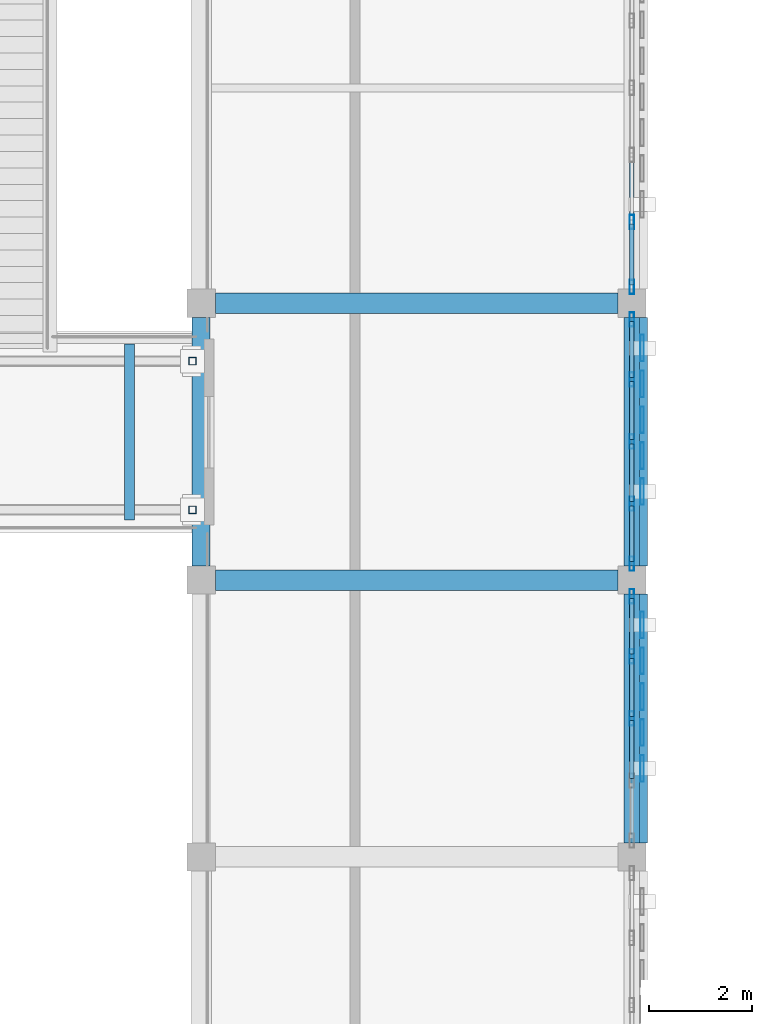
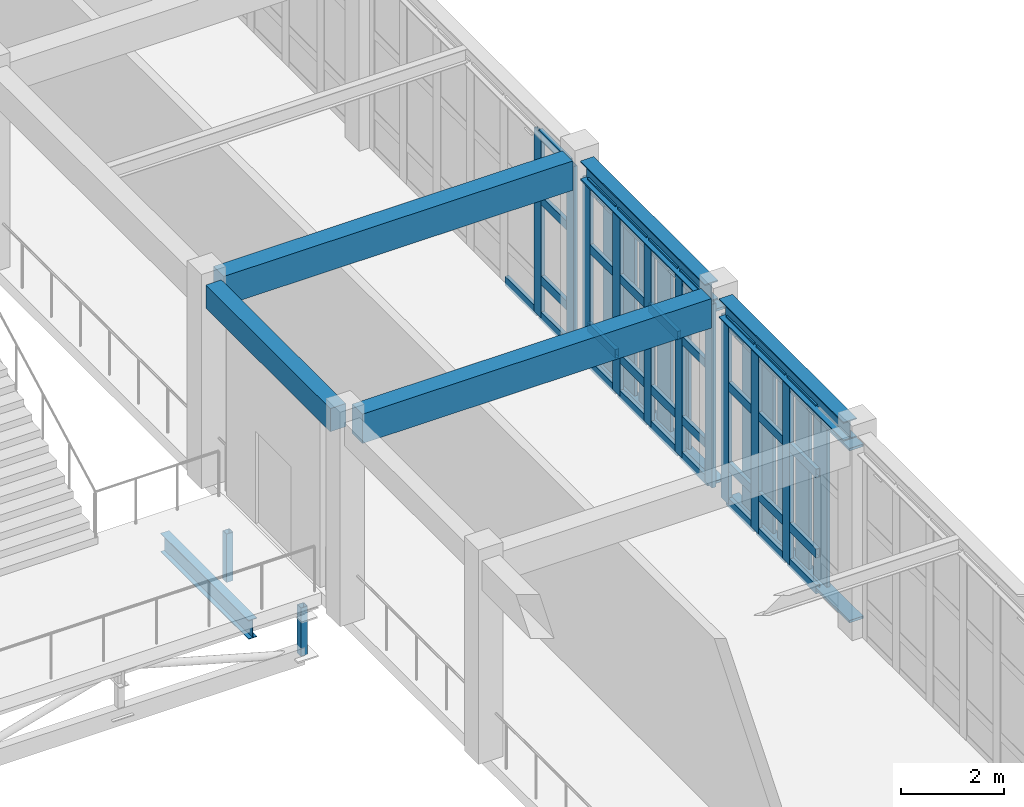
# One storey, part 35 of 93: 59 members, 6 beams, 3 elements without a shape of their own.
"""IFC4 building model written with IfcOpenShell, lengths in metres."""

from ifc_helpers import new_model, si_unit, direction, frame, origin, origin_2d, place, context, subcontext, project, spatial, rectangle, hollow_rectangle, i_section, extrude, material, layer, layer_set, material_profile, profile_set, type_object, element, aggregate, save


model = new_model("IFC4")

# Units and contexts
model_context = context("Model", 3, precision=1e-05, world=origin(), true_north=direction((0.0, 1.0)))
body_context = subcontext(model_context, "Body", "Model", "MODEL_VIEW")
ifc_project = project(units=[si_unit("LENGTHUNIT", "METRE"), si_unit("AREAUNIT", "SQUARE_METRE"), si_unit("VOLUMEUNIT", "CUBIC_METRE"), si_unit("PLANEANGLEUNIT", "RADIAN"), si_unit("MASSUNIT", "GRAM", prefix="KILO")], contexts=[model_context])

# Site, building, storey
site_placement = place(None, origin())
site = spatial("IfcSite", under=ifc_project, at=site_placement, CompositionType="ELEMENT")
building_placement = place(site_placement, origin())
building = spatial("IfcBuilding", under=site, at=building_placement, Name="Krzemoval Escarpment Law Courts", CompositionType="ELEMENT")
storey_placement = place(building_placement, frame((0.0, 0.0, 10.199951171875)))
storey = spatial("IfcBuildingStorey", under=building, at=storey_placement, Name="L02", CompositionType="ELEMENT", Elevation=10.199951171875)

# Beams
ifc_material_1 = material(Name="Concrete C40/50", Category="concrete")
ifc_material_profile_1 = material_profile(ifc_material_1, rectangle(XDim=0.35009765625, YDim=0.550048828125, at=origin_2d()), Name="RCB 350x550")
ifc_profile_set_1 = profile_set([ifc_material_profile_1], Name="Concrete C40/50")
beam_type_1 = type_object("IfcBeamType", Name="BM-RC-350x550", PredefinedType="BEAM", material=ifc_profile_set_1)
beam_1_placement = place(storey_placement, frame((33.60009765625, 80.074951171875, 4.545166015625), z_axis=(0.0, 1.0, 0.0), x_axis=(-1.0, 0.0, 0.0)))
element("IfcBeam", 1, at=beam_1_placement, inside=storey, type_object=beam_type_1, Name="Beam FG-L02-1900", PredefinedType="BEAM", context=body_context, shape_type="SweptSolid", body=[
    extrude(rectangle(XDim=0.35009765625, YDim=0.550048828125, at=origin_2d()), origin(), (0.0, 0.0, 1.0), 4.85009765625),
])
ifc_material_2 = material(Name="Concrete C40/50", Category="concrete")
ifc_material_profile_2 = material_profile(ifc_material_2, rectangle(XDim=0.39990234375, YDim=0.699951171875, at=origin_2d()), Name="RCB 400x700")
ifc_profile_set_2 = profile_set([ifc_material_profile_2], Name="Concrete C40/50")
beam_type_2 = type_object("IfcBeamType", Name="BM-RC-400x700", PredefinedType="BEAM", material=ifc_profile_set_2)
for number, where, z_axis, x_axis, name in (
    (2, (33.875, 79.800048828125, 4.469970703125), (1.0, 0.0, 0.0), (0.0, 1.0, 0.0), "Beam FG-L02-1801"),
    (3, (33.875, 85.199951171875, 4.469970703125), (1.0, 0.0, 0.0), (0.0, 1.0, 0.0), "Beam FG-L02-1805"),
):
    element("IfcBeam", number, at=place(storey_placement, frame(where, z_axis=z_axis, x_axis=x_axis)), inside=storey, type_object=beam_type_2, Name=name, PredefinedType="BEAM", context=body_context, shape_type="SweptSolid", body=[
        extrude(rectangle(XDim=0.39990234375, YDim=0.699951171875, at=origin_2d()), origin(), (0.0, 0.0, 1.0), 7.85009765625),
    ])
ifc_material_3 = material(Name="Steel S355", Category="steel")
ifc_material_profile_3 = material_profile(ifc_material_3, i_section(OverallWidth=0.18994140625, OverallDepth=0.449951171875, WebThickness=0.009521484375, FlangeThickness=0.0146484375, at=origin_2d()), Name="IPE 450")
ifc_profile_set_3 = profile_set([ifc_material_profile_3], Name="Steel S355")
beam_type_3 = type_object("IfcBeamType", Name="BM-S355-IPE450", PredefinedType="BEAM", material=ifc_profile_set_3)
beam_2_placement = place(storey_placement, frame((32.199951171875, 80.969970703125, -0.52490234375), z_axis=(0.0, 1.0, 0.0), x_axis=(-1.0, 0.0, 0.0)))
element("IfcBeam", 4, at=beam_2_placement, inside=storey, type_object=beam_type_3, Name="Bridge Cross Beam BBMN-L02-05", PredefinedType="BEAM", context=body_context, shape_type="SweptSolid", body=[
    extrude(i_section(OverallWidth=0.18994140625, OverallDepth=0.449951171875, WebThickness=0.009521484375, FlangeThickness=0.0146484375, at=origin_2d()), origin(), (0.0, 0.0, 1.0), 3.429931640625),
])

# Curtain wall, members
ifc_material_4 = material(Name="Aluminium 6063-T6", Category="aluminium")
ifc_layer = layer(ifc_material_4, 0.280029296875)
ifc_layer_set = layer_set([ifc_layer], Name="Aluminium 6063-T6")
curtain_wall_type = type_object("IfcCurtainWallType", Name="CW-HALL-5100", PredefinedType="USERDEFINED", material=ifc_layer_set)
curtain_wall_1_placement = place(storey_placement, origin())
curtain_wall_1 = element("IfcCurtainWall", 5, at=curtain_wall_1_placement, inside=storey, type_object=curtain_wall_type, Name="Unitised Curtain Wall FCW-L02-074", ObjectType="UNITISED_CURTAIN_WALL", PredefinedType="USERDEFINED")
ifc_material_5 = material(Name="Aluminium 6063-T6", Category="aluminium")
ifc_material_profile_4 = material_profile(ifc_material_5, hollow_rectangle(XDim=0.0849609375, YDim=0.280029296875, WallThickness=0.005615234375, at=origin_2d()), Name="ALU M85x280")
ifc_profile_set_4 = profile_set([ifc_material_profile_4], Name="Aluminium 6063-T6")
member_type_1 = type_object("IfcMemberType", Name="CWM-85x280", PredefinedType="MULLION", material=ifc_profile_set_4)
member_1_placement = place(storey_placement, frame((42.0, 86.783447265625, 0.0), z_axis=(0.0, 0.0, 1.0), x_axis=(1.0, 0.0, 0.0)))
member_1 = element("IfcMember", 6, at=member_1_placement, type_object=member_type_1, Name="FCW-L02-074 mullion 6", PredefinedType="MULLION", context=body_context, shape_type="SweptSolid", body=[
    extrude(hollow_rectangle(XDim=0.0849609375, YDim=0.280029296875, WallThickness=0.005615234375, at=origin_2d()), origin(), (0.0, 0.0, 1.0), 4.3701171875),
])
member_2_placement = place(storey_placement, frame((42.0, 85.517578125, 0.0), z_axis=(0.0, 0.0, 1.0), x_axis=(1.0, 0.0, 0.0)))
member_2 = element("IfcMember", 7, at=member_2_placement, type_object=member_type_1, Name="FCW-L02-074 mullion 7", PredefinedType="MULLION", context=body_context, shape_type="SweptSolid", body=[
    extrude(hollow_rectangle(XDim=0.0849609375, YDim=0.280029296875, WallThickness=0.005615234375, at=origin_2d()), origin(), (0.0, 0.0, 1.0), 4.3701171875),
])

curtain_wall_2_placement = place(storey_placement, origin())
curtain_wall_2 = element("IfcCurtainWall", 8, at=curtain_wall_2_placement, inside=storey, type_object=curtain_wall_type, Name="Unitised Curtain Wall FCW-L02-075", ObjectType="UNITISED_CURTAIN_WALL", PredefinedType="USERDEFINED")
member_3_placement = place(storey_placement, frame((42.0, 84.882568359375, 0.0), z_axis=(0.0, 0.0, 1.0), x_axis=(1.0, 0.0, 0.0)))
member_3 = element("IfcMember", 9, at=member_3_placement, type_object=member_type_1, Name="FCW-L02-075 mullion 1", PredefinedType="MULLION", context=body_context, shape_type="SweptSolid", body=[
    extrude(hollow_rectangle(XDim=0.0849609375, YDim=0.280029296875, WallThickness=0.005615234375, at=origin_2d()), origin(), (0.0, 0.0, 1.0), 4.3701171875),
])
member_4_placement = place(storey_placement, frame((42.0, 83.71240234375, 0.0), z_axis=(0.0, 0.0, 1.0), x_axis=(1.0, 0.0, 0.0)))
member_4 = element("IfcMember", 10, at=member_4_placement, type_object=member_type_1, Name="FCW-L02-075 mullion 2", PredefinedType="MULLION", context=body_context, shape_type="SweptSolid", body=[
    extrude(hollow_rectangle(XDim=0.0849609375, YDim=0.280029296875, WallThickness=0.005615234375, at=origin_2d()), origin(), (0.0, 0.0, 1.0), 4.3701171875),
])
member_5_placement = place(storey_placement, frame((42.0, 82.5, 0.0), z_axis=(0.0, 0.0, 1.0), x_axis=(1.0, 0.0, 0.0)))
member_5 = element("IfcMember", 11, at=member_5_placement, type_object=member_type_1, Name="FCW-L02-075 mullion 3", PredefinedType="MULLION", context=body_context, shape_type="SweptSolid", body=[
    extrude(hollow_rectangle(XDim=0.0849609375, YDim=0.280029296875, WallThickness=0.005615234375, at=origin_2d()), origin(), (0.0, 0.0, 1.0), 4.3701171875),
])
member_6_placement = place(storey_placement, frame((42.0, 81.28759765625, 0.0), z_axis=(0.0, 0.0, 1.0), x_axis=(1.0, 0.0, 0.0)))
member_6 = element("IfcMember", 12, at=member_6_placement, type_object=member_type_1, Name="FCW-L02-075 mullion 4", PredefinedType="MULLION", context=body_context, shape_type="SweptSolid", body=[
    extrude(hollow_rectangle(XDim=0.0849609375, YDim=0.280029296875, WallThickness=0.005615234375, at=origin_2d()), origin(), (0.0, 0.0, 1.0), 4.3701171875),
])
member_7_placement = place(storey_placement, frame((42.0, 80.117431640625, 0.0), z_axis=(0.0, 0.0, 1.0), x_axis=(1.0, 0.0, 0.0)))
member_7 = element("IfcMember", 13, at=member_7_placement, type_object=member_type_1, Name="FCW-L02-075 mullion 5", PredefinedType="MULLION", context=body_context, shape_type="SweptSolid", body=[
    extrude(hollow_rectangle(XDim=0.0849609375, YDim=0.280029296875, WallThickness=0.005615234375, at=origin_2d()), origin(), (0.0, 0.0, 1.0), 4.3701171875),
])

curtain_wall_3_placement = place(storey_placement, origin())
curtain_wall_3 = element("IfcCurtainWall", 14, at=curtain_wall_3_placement, inside=storey, type_object=curtain_wall_type, Name="Unitised Curtain Wall FCW-L02-076", ObjectType="UNITISED_CURTAIN_WALL", PredefinedType="USERDEFINED")
member_8_placement = place(storey_placement, frame((42.0, 79.482421875, 0.0), z_axis=(0.0, 0.0, 1.0), x_axis=(1.0, 0.0, 0.0)))
member_8 = element("IfcMember", 15, at=member_8_placement, type_object=member_type_1, Name="FCW-L02-076 mullion 1", PredefinedType="MULLION", context=body_context, shape_type="SweptSolid", body=[
    extrude(hollow_rectangle(XDim=0.0849609375, YDim=0.280029296875, WallThickness=0.005615234375, at=origin_2d()), origin(), (0.0, 0.0, 1.0), 4.3701171875),
])
member_9_placement = place(storey_placement, frame((42.0, 78.3125, 0.0), z_axis=(0.0, 0.0, 1.0), x_axis=(1.0, 0.0, 0.0)))
member_9 = element("IfcMember", 16, at=member_9_placement, type_object=member_type_1, Name="FCW-L02-076 mullion 2", PredefinedType="MULLION", context=body_context, shape_type="SweptSolid", body=[
    extrude(hollow_rectangle(XDim=0.0849609375, YDim=0.280029296875, WallThickness=0.005615234375, at=origin_2d()), origin(), (0.0, 0.0, 1.0), 4.3701171875),
])
member_10_placement = place(storey_placement, frame((42.0, 77.10009765625, 0.0), z_axis=(0.0, 0.0, 1.0), x_axis=(1.0, 0.0, 0.0)))
member_10 = element("IfcMember", 17, at=member_10_placement, type_object=member_type_1, Name="FCW-L02-076 mullion 3", PredefinedType="MULLION", context=body_context, shape_type="SweptSolid", body=[
    extrude(hollow_rectangle(XDim=0.0849609375, YDim=0.280029296875, WallThickness=0.005615234375, at=origin_2d()), origin(), (0.0, 0.0, 1.0), 4.3701171875),
])

# Member
ifc_material_6 = material(Name="Aluminium 6063-T6", Category="aluminium")
ifc_material_profile_5 = material_profile(ifc_material_6, hollow_rectangle(XDim=0.0849609375, YDim=0.2099609375, WallThickness=0.005615234375, at=origin_2d()), Name="ALU T85x210")
ifc_profile_set_5 = profile_set([ifc_material_profile_5], Name="Aluminium 6063-T6")
member_type_2 = type_object("IfcMemberType", Name="CWT-85x210", PredefinedType="USERDEFINED", material=ifc_profile_set_5)
member_11_placement = place(storey_placement, frame((42.0, 88.049072265625, 0.04248046875), z_axis=(0.0, -1.0, 0.0), x_axis=(1.0, 0.0, 0.0)))
member_11 = element("IfcMember", 18, at=member_11_placement, type_object=member_type_2, Name="FCW-L02-074 transom 5.1", ObjectType="TRANSOM", PredefinedType="USERDEFINED", context=body_context, shape_type="SweptSolid", body=[
    extrude(hollow_rectangle(XDim=0.0849609375, YDim=0.2099609375, WallThickness=0.005615234375, at=origin_2d()), origin(), (0.0, 0.0, 1.0), 1.22314453125),
])

member_12_placement = place(storey_placement, frame((42.0, 86.74072265625, 0.04248046875), z_axis=(0.0, -1.0, 0.0), x_axis=(1.0, 0.0, 0.0)))
member_12 = element("IfcMember", 19, at=member_12_placement, type_object=member_type_2, Name="FCW-L02-074 transom 6.1", ObjectType="TRANSOM", PredefinedType="USERDEFINED", context=body_context, shape_type="SweptSolid", body=[
    extrude(hollow_rectangle(XDim=0.0849609375, YDim=0.2099609375, WallThickness=0.005615234375, at=origin_2d()), origin(), (0.0, 0.0, 1.0), 1.1806640625),
])

member_13_placement = place(storey_placement, frame((42.0, 86.74072265625, 0.900146484375), z_axis=(0.0, -1.0, 0.0), x_axis=(1.0, 0.0, 0.0)))
member_13 = element("IfcMember", 20, at=member_13_placement, type_object=member_type_2, Name="FCW-L02-074 transom 6.2", ObjectType="TRANSOM", PredefinedType="USERDEFINED", context=body_context, shape_type="SweptSolid", body=[
    extrude(hollow_rectangle(XDim=0.0849609375, YDim=0.2099609375, WallThickness=0.005615234375, at=origin_2d()), origin(), (0.0, 0.0, 1.0), 1.1806640625),
])

member_14_placement = place(storey_placement, frame((42.0, 86.74072265625, 2.800048828125), z_axis=(0.0, -1.0, 0.0), x_axis=(1.0, 0.0, 0.0)))
member_14 = element("IfcMember", 21, at=member_14_placement, type_object=member_type_2, Name="FCW-L02-074 transom 6.3", ObjectType="TRANSOM", PredefinedType="USERDEFINED", context=body_context, shape_type="SweptSolid", body=[
    extrude(hollow_rectangle(XDim=0.0849609375, YDim=0.2099609375, WallThickness=0.005615234375, at=origin_2d()), origin(), (0.0, 0.0, 1.0), 1.1806640625),
])

member_15_placement = place(storey_placement, frame((42.0, 86.74072265625, 4.32763671875), z_axis=(0.0, -1.0, 0.0), x_axis=(1.0, 0.0, 0.0)))
member_15 = element("IfcMember", 22, at=member_15_placement, type_object=member_type_2, Name="FCW-L02-074 transom 6.4", ObjectType="TRANSOM", PredefinedType="USERDEFINED", context=body_context, shape_type="SweptSolid", body=[
    extrude(hollow_rectangle(XDim=0.0849609375, YDim=0.2099609375, WallThickness=0.005615234375, at=origin_2d()), origin(), (0.0, 0.0, 1.0), 1.1806640625),
])

aggregate(curtain_wall_1, [member_1, member_2, member_11, member_12, member_13, member_14, member_15])

member_16_placement = place(storey_placement, frame((42.0, 84.840087890625, 0.04248046875), z_axis=(0.0, -1.0, 0.0), x_axis=(1.0, 0.0, 0.0)))
member_16 = element("IfcMember", 23, at=member_16_placement, type_object=member_type_2, Name="FCW-L02-075 transom 1.1", ObjectType="TRANSOM", PredefinedType="USERDEFINED", context=body_context, shape_type="SweptSolid", body=[
    extrude(hollow_rectangle(XDim=0.0849609375, YDim=0.2099609375, WallThickness=0.005615234375, at=origin_2d()), origin(), (0.0, 0.0, 1.0), 1.085205078125),
])

member_17_placement = place(storey_placement, frame((42.0, 84.840087890625, 0.900146484375), z_axis=(0.0, -1.0, 0.0), x_axis=(1.0, 0.0, 0.0)))
member_17 = element("IfcMember", 24, at=member_17_placement, type_object=member_type_2, Name="FCW-L02-075 transom 1.2", ObjectType="TRANSOM", PredefinedType="USERDEFINED", context=body_context, shape_type="SweptSolid", body=[
    extrude(hollow_rectangle(XDim=0.0849609375, YDim=0.2099609375, WallThickness=0.005615234375, at=origin_2d()), origin(), (0.0, 0.0, 1.0), 1.085205078125),
])

member_18_placement = place(storey_placement, frame((42.0, 84.840087890625, 2.800048828125), z_axis=(0.0, -1.0, 0.0), x_axis=(1.0, 0.0, 0.0)))
member_18 = element("IfcMember", 25, at=member_18_placement, type_object=member_type_2, Name="FCW-L02-075 transom 1.3", ObjectType="TRANSOM", PredefinedType="USERDEFINED", context=body_context, shape_type="SweptSolid", body=[
    extrude(hollow_rectangle(XDim=0.0849609375, YDim=0.2099609375, WallThickness=0.005615234375, at=origin_2d()), origin(), (0.0, 0.0, 1.0), 1.085205078125),
])

member_19_placement = place(storey_placement, frame((42.0, 84.840087890625, 4.32763671875), z_axis=(0.0, -1.0, 0.0), x_axis=(1.0, 0.0, 0.0)))
member_19 = element("IfcMember", 26, at=member_19_placement, type_object=member_type_2, Name="FCW-L02-075 transom 1.4", ObjectType="TRANSOM", PredefinedType="USERDEFINED", context=body_context, shape_type="SweptSolid", body=[
    extrude(hollow_rectangle(XDim=0.0849609375, YDim=0.2099609375, WallThickness=0.005615234375, at=origin_2d()), origin(), (0.0, 0.0, 1.0), 1.085205078125),
])

member_20_placement = place(storey_placement, frame((42.0, 83.669921875, 0.04248046875), z_axis=(0.0, -1.0, 0.0), x_axis=(1.0, 0.0, 0.0)))
member_20 = element("IfcMember", 27, at=member_20_placement, type_object=member_type_2, Name="FCW-L02-075 transom 2.1", ObjectType="TRANSOM", PredefinedType="USERDEFINED", context=body_context, shape_type="SweptSolid", body=[
    extrude(hollow_rectangle(XDim=0.0849609375, YDim=0.2099609375, WallThickness=0.005615234375, at=origin_2d()), origin(), (0.0, 0.0, 1.0), 1.12744140625),
])

member_21_placement = place(storey_placement, frame((42.0, 83.669921875, 0.900146484375), z_axis=(0.0, -1.0, 0.0), x_axis=(1.0, 0.0, 0.0)))
member_21 = element("IfcMember", 28, at=member_21_placement, type_object=member_type_2, Name="FCW-L02-075 transom 2.2", ObjectType="TRANSOM", PredefinedType="USERDEFINED", context=body_context, shape_type="SweptSolid", body=[
    extrude(hollow_rectangle(XDim=0.0849609375, YDim=0.2099609375, WallThickness=0.005615234375, at=origin_2d()), origin(), (0.0, 0.0, 1.0), 1.12744140625),
])

member_22_placement = place(storey_placement, frame((42.0, 83.669921875, 2.800048828125), z_axis=(0.0, -1.0, 0.0), x_axis=(1.0, 0.0, 0.0)))
member_22 = element("IfcMember", 29, at=member_22_placement, type_object=member_type_2, Name="FCW-L02-075 transom 2.3", ObjectType="TRANSOM", PredefinedType="USERDEFINED", context=body_context, shape_type="SweptSolid", body=[
    extrude(hollow_rectangle(XDim=0.0849609375, YDim=0.2099609375, WallThickness=0.005615234375, at=origin_2d()), origin(), (0.0, 0.0, 1.0), 1.12744140625),
])

member_23_placement = place(storey_placement, frame((42.0, 83.669921875, 4.32763671875), z_axis=(0.0, -1.0, 0.0), x_axis=(1.0, 0.0, 0.0)))
member_23 = element("IfcMember", 30, at=member_23_placement, type_object=member_type_2, Name="FCW-L02-075 transom 2.4", ObjectType="TRANSOM", PredefinedType="USERDEFINED", context=body_context, shape_type="SweptSolid", body=[
    extrude(hollow_rectangle(XDim=0.0849609375, YDim=0.2099609375, WallThickness=0.005615234375, at=origin_2d()), origin(), (0.0, 0.0, 1.0), 1.12744140625),
])

member_24_placement = place(storey_placement, frame((42.0, 82.45751953125, 0.04248046875), z_axis=(0.0, -1.0, 0.0), x_axis=(1.0, 0.0, 0.0)))
member_24 = element("IfcMember", 31, at=member_24_placement, type_object=member_type_2, Name="FCW-L02-075 transom 3.1", ObjectType="TRANSOM", PredefinedType="USERDEFINED", context=body_context, shape_type="SweptSolid", body=[
    extrude(hollow_rectangle(XDim=0.0849609375, YDim=0.2099609375, WallThickness=0.005615234375, at=origin_2d()), origin(), (0.0, 0.0, 1.0), 1.12744140625),
])

member_25_placement = place(storey_placement, frame((42.0, 82.45751953125, 0.900146484375), z_axis=(0.0, -1.0, 0.0), x_axis=(1.0, 0.0, 0.0)))
member_25 = element("IfcMember", 32, at=member_25_placement, type_object=member_type_2, Name="FCW-L02-075 transom 3.2", ObjectType="TRANSOM", PredefinedType="USERDEFINED", context=body_context, shape_type="SweptSolid", body=[
    extrude(hollow_rectangle(XDim=0.0849609375, YDim=0.2099609375, WallThickness=0.005615234375, at=origin_2d()), origin(), (0.0, 0.0, 1.0), 1.12744140625),
])

member_26_placement = place(storey_placement, frame((42.0, 82.45751953125, 2.800048828125), z_axis=(0.0, -1.0, 0.0), x_axis=(1.0, 0.0, 0.0)))
member_26 = element("IfcMember", 33, at=member_26_placement, type_object=member_type_2, Name="FCW-L02-075 transom 3.3", ObjectType="TRANSOM", PredefinedType="USERDEFINED", context=body_context, shape_type="SweptSolid", body=[
    extrude(hollow_rectangle(XDim=0.0849609375, YDim=0.2099609375, WallThickness=0.005615234375, at=origin_2d()), origin(), (0.0, 0.0, 1.0), 1.12744140625),
])

member_27_placement = place(storey_placement, frame((42.0, 82.45751953125, 4.32763671875), z_axis=(0.0, -1.0, 0.0), x_axis=(1.0, 0.0, 0.0)))
member_27 = element("IfcMember", 34, at=member_27_placement, type_object=member_type_2, Name="FCW-L02-075 transom 3.4", ObjectType="TRANSOM", PredefinedType="USERDEFINED", context=body_context, shape_type="SweptSolid", body=[
    extrude(hollow_rectangle(XDim=0.0849609375, YDim=0.2099609375, WallThickness=0.005615234375, at=origin_2d()), origin(), (0.0, 0.0, 1.0), 1.12744140625),
])

member_28_placement = place(storey_placement, frame((42.0, 81.2451171875, 0.04248046875), z_axis=(0.0, -1.0, 0.0), x_axis=(1.0, 0.0, 0.0)))
member_28 = element("IfcMember", 35, at=member_28_placement, type_object=member_type_2, Name="FCW-L02-075 transom 4.1", ObjectType="TRANSOM", PredefinedType="USERDEFINED", context=body_context, shape_type="SweptSolid", body=[
    extrude(hollow_rectangle(XDim=0.0849609375, YDim=0.2099609375, WallThickness=0.005615234375, at=origin_2d()), origin(), (0.0, 0.0, 1.0), 1.085205078125),
])

member_29_placement = place(storey_placement, frame((42.0, 81.2451171875, 0.900146484375), z_axis=(0.0, -1.0, 0.0), x_axis=(1.0, 0.0, 0.0)))
member_29 = element("IfcMember", 36, at=member_29_placement, type_object=member_type_2, Name="FCW-L02-075 transom 4.2", ObjectType="TRANSOM", PredefinedType="USERDEFINED", context=body_context, shape_type="SweptSolid", body=[
    extrude(hollow_rectangle(XDim=0.0849609375, YDim=0.2099609375, WallThickness=0.005615234375, at=origin_2d()), origin(), (0.0, 0.0, 1.0), 1.085205078125),
])

member_30_placement = place(storey_placement, frame((42.0, 81.2451171875, 2.800048828125), z_axis=(0.0, -1.0, 0.0), x_axis=(1.0, 0.0, 0.0)))
member_30 = element("IfcMember", 37, at=member_30_placement, type_object=member_type_2, Name="FCW-L02-075 transom 4.3", ObjectType="TRANSOM", PredefinedType="USERDEFINED", context=body_context, shape_type="SweptSolid", body=[
    extrude(hollow_rectangle(XDim=0.0849609375, YDim=0.2099609375, WallThickness=0.005615234375, at=origin_2d()), origin(), (0.0, 0.0, 1.0), 1.085205078125),
])

member_31_placement = place(storey_placement, frame((42.0, 81.2451171875, 4.32763671875), z_axis=(0.0, -1.0, 0.0), x_axis=(1.0, 0.0, 0.0)))
member_31 = element("IfcMember", 38, at=member_31_placement, type_object=member_type_2, Name="FCW-L02-075 transom 4.4", ObjectType="TRANSOM", PredefinedType="USERDEFINED", context=body_context, shape_type="SweptSolid", body=[
    extrude(hollow_rectangle(XDim=0.0849609375, YDim=0.2099609375, WallThickness=0.005615234375, at=origin_2d()), origin(), (0.0, 0.0, 1.0), 1.085205078125),
])

aggregate(curtain_wall_2, [member_3, member_4, member_5, member_6, member_7, member_16, member_17, member_18, member_19, member_20, member_21, member_22, member_23, member_24, member_25, member_26, member_27, member_28, member_29, member_30, member_31])

member_32_placement = place(storey_placement, frame((42.0, 79.43994140625, 0.04248046875), z_axis=(0.0, -1.0, 0.0), x_axis=(1.0, 0.0, 0.0)))
member_32 = element("IfcMember", 39, at=member_32_placement, type_object=member_type_2, Name="FCW-L02-076 transom 1.1", ObjectType="TRANSOM", PredefinedType="USERDEFINED", context=body_context, shape_type="SweptSolid", body=[
    extrude(hollow_rectangle(XDim=0.0849609375, YDim=0.2099609375, WallThickness=0.005615234375, at=origin_2d()), origin(), (0.0, 0.0, 1.0), 1.0849609375),
])

member_33_placement = place(storey_placement, frame((42.0, 79.43994140625, 0.900146484375), z_axis=(0.0, -1.0, 0.0), x_axis=(1.0, 0.0, 0.0)))
member_33 = element("IfcMember", 40, at=member_33_placement, type_object=member_type_2, Name="FCW-L02-076 transom 1.2", ObjectType="TRANSOM", PredefinedType="USERDEFINED", context=body_context, shape_type="SweptSolid", body=[
    extrude(hollow_rectangle(XDim=0.0849609375, YDim=0.2099609375, WallThickness=0.005615234375, at=origin_2d()), origin(), (0.0, 0.0, 1.0), 1.0849609375),
])

member_34_placement = place(storey_placement, frame((42.0, 79.43994140625, 2.800048828125), z_axis=(0.0, -1.0, 0.0), x_axis=(1.0, 0.0, 0.0)))
member_34 = element("IfcMember", 41, at=member_34_placement, type_object=member_type_2, Name="FCW-L02-076 transom 1.3", ObjectType="TRANSOM", PredefinedType="USERDEFINED", context=body_context, shape_type="SweptSolid", body=[
    extrude(hollow_rectangle(XDim=0.0849609375, YDim=0.2099609375, WallThickness=0.005615234375, at=origin_2d()), origin(), (0.0, 0.0, 1.0), 1.0849609375),
])

member_35_placement = place(storey_placement, frame((42.0, 79.43994140625, 4.32763671875), z_axis=(0.0, -1.0, 0.0), x_axis=(1.0, 0.0, 0.0)))
member_35 = element("IfcMember", 42, at=member_35_placement, type_object=member_type_2, Name="FCW-L02-076 transom 1.4", ObjectType="TRANSOM", PredefinedType="USERDEFINED", context=body_context, shape_type="SweptSolid", body=[
    extrude(hollow_rectangle(XDim=0.0849609375, YDim=0.2099609375, WallThickness=0.005615234375, at=origin_2d()), origin(), (0.0, 0.0, 1.0), 1.0849609375),
])

member_36_placement = place(storey_placement, frame((42.0, 78.27001953125, 0.04248046875), z_axis=(0.0, -1.0, 0.0), x_axis=(1.0, 0.0, 0.0)))
member_36 = element("IfcMember", 43, at=member_36_placement, type_object=member_type_2, Name="FCW-L02-076 transom 2.1", ObjectType="TRANSOM", PredefinedType="USERDEFINED", context=body_context, shape_type="SweptSolid", body=[
    extrude(hollow_rectangle(XDim=0.0849609375, YDim=0.2099609375, WallThickness=0.005615234375, at=origin_2d()), origin(), (0.0, 0.0, 1.0), 1.12744140625),
])

member_37_placement = place(storey_placement, frame((42.0, 78.27001953125, 0.900146484375), z_axis=(0.0, -1.0, 0.0), x_axis=(1.0, 0.0, 0.0)))
member_37 = element("IfcMember", 44, at=member_37_placement, type_object=member_type_2, Name="FCW-L02-076 transom 2.2", ObjectType="TRANSOM", PredefinedType="USERDEFINED", context=body_context, shape_type="SweptSolid", body=[
    extrude(hollow_rectangle(XDim=0.0849609375, YDim=0.2099609375, WallThickness=0.005615234375, at=origin_2d()), origin(), (0.0, 0.0, 1.0), 1.12744140625),
])

member_38_placement = place(storey_placement, frame((42.0, 78.27001953125, 2.800048828125), z_axis=(0.0, -1.0, 0.0), x_axis=(1.0, 0.0, 0.0)))
member_38 = element("IfcMember", 45, at=member_38_placement, type_object=member_type_2, Name="FCW-L02-076 transom 2.3", ObjectType="TRANSOM", PredefinedType="USERDEFINED", context=body_context, shape_type="SweptSolid", body=[
    extrude(hollow_rectangle(XDim=0.0849609375, YDim=0.2099609375, WallThickness=0.005615234375, at=origin_2d()), origin(), (0.0, 0.0, 1.0), 1.12744140625),
])

member_39_placement = place(storey_placement, frame((42.0, 78.27001953125, 4.32763671875), z_axis=(0.0, -1.0, 0.0), x_axis=(1.0, 0.0, 0.0)))
member_39 = element("IfcMember", 46, at=member_39_placement, type_object=member_type_2, Name="FCW-L02-076 transom 2.4", ObjectType="TRANSOM", PredefinedType="USERDEFINED", context=body_context, shape_type="SweptSolid", body=[
    extrude(hollow_rectangle(XDim=0.0849609375, YDim=0.2099609375, WallThickness=0.005615234375, at=origin_2d()), origin(), (0.0, 0.0, 1.0), 1.12744140625),
])

member_40_placement = place(storey_placement, frame((42.0, 77.0576171875, 0.04248046875), z_axis=(0.0, -1.0, 0.0), x_axis=(1.0, 0.0, 0.0)))
member_40 = element("IfcMember", 47, at=member_40_placement, type_object=member_type_2, Name="FCW-L02-076 transom 3.1", ObjectType="TRANSOM", PredefinedType="USERDEFINED", context=body_context, shape_type="SweptSolid", body=[
    extrude(hollow_rectangle(XDim=0.0849609375, YDim=0.2099609375, WallThickness=0.005615234375, at=origin_2d()), origin(), (0.0, 0.0, 1.0), 1.127685546875),
])

member_41_placement = place(storey_placement, frame((42.0, 77.0576171875, 0.900146484375), z_axis=(0.0, -1.0, 0.0), x_axis=(1.0, 0.0, 0.0)))
member_41 = element("IfcMember", 48, at=member_41_placement, type_object=member_type_2, Name="FCW-L02-076 transom 3.2", ObjectType="TRANSOM", PredefinedType="USERDEFINED", context=body_context, shape_type="SweptSolid", body=[
    extrude(hollow_rectangle(XDim=0.0849609375, YDim=0.2099609375, WallThickness=0.005615234375, at=origin_2d()), origin(), (0.0, 0.0, 1.0), 1.127685546875),
])

member_42_placement = place(storey_placement, frame((42.0, 77.0576171875, 2.800048828125), z_axis=(0.0, -1.0, 0.0), x_axis=(1.0, 0.0, 0.0)))
member_42 = element("IfcMember", 49, at=member_42_placement, type_object=member_type_2, Name="FCW-L02-076 transom 3.3", ObjectType="TRANSOM", PredefinedType="USERDEFINED", context=body_context, shape_type="SweptSolid", body=[
    extrude(hollow_rectangle(XDim=0.0849609375, YDim=0.2099609375, WallThickness=0.005615234375, at=origin_2d()), origin(), (0.0, 0.0, 1.0), 1.127685546875),
])

member_43_placement = place(storey_placement, frame((42.0, 77.0576171875, 4.32763671875), z_axis=(0.0, -1.0, 0.0), x_axis=(1.0, 0.0, 0.0)))
member_43 = element("IfcMember", 50, at=member_43_placement, type_object=member_type_2, Name="FCW-L02-076 transom 3.4", ObjectType="TRANSOM", PredefinedType="USERDEFINED", context=body_context, shape_type="SweptSolid", body=[
    extrude(hollow_rectangle(XDim=0.0849609375, YDim=0.2099609375, WallThickness=0.005615234375, at=origin_2d()), origin(), (0.0, 0.0, 1.0), 1.127685546875),
])

aggregate(curtain_wall_3, [member_8, member_9, member_10, member_32, member_33, member_34, member_35, member_36, member_37, member_38, member_39, member_40, member_41, member_42, member_43])

# Members
ifc_material_7 = material(Name="Anodised Aluminium Alloy 6063-T6", Category="aluminium")
ifc_material_profile_6 = material_profile(ifc_material_7, hollow_rectangle(XDim=0.06005859375, YDim=0.320068359375, WallThickness=0.00390625, at=origin_2d()), Name="ALU LVR 60x320")
ifc_profile_set_6 = profile_set([ifc_material_profile_6], Name="Anodised Aluminium Alloy 6063-T6")
member_type_3 = type_object("IfcMemberType", Name="LVR-ALU-320", PredefinedType="USERDEFINED", material=ifc_profile_set_6)
for number, where, z_axis, x_axis, name in (
    (51, (42.139892578125, 84.925048828125, 0.030029296875), (0.0, -1.0, 0.0), (0.0, 0.0, 1.0), "Sunshade Support Rail FSR-L02-0471"),
    (52, (42.139892578125, 84.925048828125, 4.1201171875), (0.0, -1.0, 0.0), (0.0, 0.0, 1.0), "Sunshade Support Rail FSR-L02-0472"),
):
    element("IfcMember", number, at=place(storey_placement, frame(where, z_axis=z_axis, x_axis=x_axis)), inside=storey, type_object=member_type_3, Name=name, ObjectType="SUNSHADE_LOUVRE", PredefinedType="USERDEFINED", context=body_context, shape_type="SweptSolid", body=[
        extrude(hollow_rectangle(XDim=0.06005859375, YDim=0.320068359375, WallThickness=0.00390625, at=origin_2d()), origin(), (0.0, 0.0, 1.0), 4.85009765625),
    ])
for number, where, z_axis, x_axis, name in (
    (53, (42.139892578125, 79.52490234375, 0.030029296875), (0.0, -1.0, 0.0), (0.0, 0.0, 1.0), "Sunshade Support Rail FSR-L02-0478"),
    (54, (42.139892578125, 79.52490234375, 4.1201171875), (0.0, -1.0, 0.0), (0.0, 0.0, 1.0), "Sunshade Support Rail FSR-L02-0479"),
):
    element("IfcMember", number, at=place(storey_placement, frame(where, z_axis=z_axis, x_axis=x_axis)), inside=storey, type_object=member_type_3, Name=name, ObjectType="SUNSHADE_LOUVRE", PredefinedType="USERDEFINED", context=body_context, shape_type="SweptSolid", body=[
        extrude(hollow_rectangle(XDim=0.06005859375, YDim=0.320068359375, WallThickness=0.00390625, at=origin_2d()), origin(), (0.0, 0.0, 1.0), 4.849853515625),
    ])
ifc_material_8 = material(Name="Anodised Aluminium Alloy 6063-T6", Category="aluminium")
ifc_material_profile_7 = material_profile(ifc_material_8, hollow_rectangle(XDim=0.06494140625, YDim=0.52001953125, WallThickness=0.00439453125, at=origin_2d()), Name="ALU LVR 65x520")
ifc_profile_set_7 = profile_set([ifc_material_profile_7], Name="Anodised Aluminium Alloy 6063-T6")
member_type_4 = type_object("IfcMemberType", Name="LVR-ALU-520", PredefinedType="USERDEFINED", material=ifc_profile_set_7)
for number, where, z_axis, x_axis, name in (
    (55, (42.199951171875, 84.324951171875, 0.06005859375), (0.0, 0.0, 1.0), (1.0, 0.0, 0.0), "Sunshade Louvre Fin FLV-L02-0473"),
    (56, (42.199951171875, 83.625, 0.06005859375), (0.0, 0.0, 1.0), (1.0, 0.0, 0.0), "Sunshade Louvre Fin FLV-L02-0474"),
    (57, (42.199951171875, 82.925048828125, 0.06005859375), (0.0, 0.0, 1.0), (1.0, 0.0, 0.0), "Sunshade Louvre Fin FLV-L02-0475"),
    (58, (42.199951171875, 82.22509765625, 0.06005859375), (0.0, 0.0, 1.0), (1.0, 0.0, 0.0), "Sunshade Louvre Fin FLV-L02-0476"),
    (59, (42.199951171875, 81.52490234375, 0.06005859375), (0.0, 0.0, 1.0), (1.0, 0.0, 0.0), "Sunshade Louvre Fin FLV-L02-0477"),
    (60, (42.199951171875, 78.925048828125, 0.06005859375), (0.0, 0.0, 1.0), (1.0, 0.0, 0.0), "Sunshade Louvre Fin FLV-L02-0480"),
    (61, (42.199951171875, 78.22509765625, 0.06005859375), (0.0, 0.0, 1.0), (1.0, 0.0, 0.0), "Sunshade Louvre Fin FLV-L02-0481"),
    (62, (42.199951171875, 77.52490234375, 0.06005859375), (0.0, 0.0, 1.0), (1.0, 0.0, 0.0), "Sunshade Louvre Fin FLV-L02-0482"),
    (63, (42.199951171875, 76.824951171875, 0.06005859375), (0.0, 0.0, 1.0), (1.0, 0.0, 0.0), "Sunshade Louvre Fin FLV-L02-0483"),
    (64, (42.199951171875, 76.125, 0.06005859375), (0.0, 0.0, 1.0), (1.0, 0.0, 0.0), "Sunshade Louvre Fin FLV-L02-0484"),
):
    element("IfcMember", number, at=place(storey_placement, frame(where, z_axis=z_axis, x_axis=x_axis)), inside=storey, type_object=member_type_4, Name=name, ObjectType="SUNSHADE_LOUVRE", PredefinedType="USERDEFINED", context=body_context, shape_type="SweptSolid", body=[
        extrude(hollow_rectangle(XDim=0.06494140625, YDim=0.52001953125, WallThickness=0.00439453125, at=origin_2d()), origin(), (0.0, 0.0, 1.0), 4.31005859375),
    ])
ifc_material_9 = material(Name="Steel S355", Category="steel")
ifc_material_profile_8 = material_profile(ifc_material_9, hollow_rectangle(XDim=0.14990234375, YDim=0.14990234375, WallThickness=0.008056640625, at=origin_2d()), Name="SHS 150x150x8")
ifc_profile_set_8 = profile_set([ifc_material_profile_8], Name="Steel S355")
member_type_5 = type_object("IfcMemberType", Name="MBR-STR-SHS150", PredefinedType="STRUT", material=ifc_profile_set_8)
for number, where, z_axis, x_axis, name in (
    (65, (33.429931640625, 81.169921875, -1.669921875), (0.0, 0.0, 1.0), (1.0, 0.0, 0.0), "Bridge Truss Strut BST-0193"),
    (66, (33.429931640625, 84.070068359375, -1.669921875), (0.0, 0.0, 1.0), (1.0, 0.0, 0.0), "Bridge Truss Strut BST-0204"),
):
    element("IfcMember", number, at=place(storey_placement, frame(where, z_axis=z_axis, x_axis=x_axis)), inside=storey, type_object=member_type_5, Name=name, PredefinedType="STRUT", context=body_context, shape_type="SweptSolid", body=[
        extrude(hollow_rectangle(XDim=0.14990234375, YDim=0.14990234375, WallThickness=0.008056640625, at=origin_2d()), origin(), (0.0, 0.0, 1.0), 1.14990234375),
    ])

# Beams
ifc_material_10 = material(Name="Steel S355", Category="steel")
ifc_material_profile_9 = material_profile(ifc_material_10, i_section(OverallWidth=0.300048828125, OverallDepth=0.449951171875, WebThickness=0.013916015625, FlangeThickness=0.02587890625, at=origin_2d()), Name="HEB 450")
ifc_profile_set_9 = profile_set([ifc_material_profile_9], Name="Steel S355")
beam_type_4 = type_object("IfcBeamType", Name="SPN-S355-HEB450", PredefinedType="SPANDREL", material=ifc_profile_set_9)
beam_3_placement = place(storey_placement, frame((42.0, 74.675048828125, 4.594970703125), z_axis=(0.0, 1.0, 0.0), x_axis=(-1.0, 0.0, 0.0)))
element("IfcBeam", 67, at=beam_3_placement, inside=storey, type_object=beam_type_4, Name="Beam FG-L02-1914", PredefinedType="SPANDREL", context=body_context, shape_type="SweptSolid", body=[
    extrude(i_section(OverallWidth=0.300048828125, OverallDepth=0.449951171875, WebThickness=0.013916015625, FlangeThickness=0.02587890625, at=origin_2d()), origin(), (0.0, 0.0, 1.0), 4.849853515625),
])
beam_4_placement = place(storey_placement, frame((42.0, 80.074951171875, 4.594970703125), z_axis=(0.0, 1.0, 0.0), x_axis=(-1.0, 0.0, 0.0)))
element("IfcBeam", 68, at=beam_4_placement, inside=storey, type_object=beam_type_4, Name="Beam FG-L02-1915", PredefinedType="SPANDREL", context=body_context, shape_type="SweptSolid", body=[
    extrude(i_section(OverallWidth=0.300048828125, OverallDepth=0.449951171875, WebThickness=0.013916015625, FlangeThickness=0.02587890625, at=origin_2d()), origin(), (0.0, 0.0, 1.0), 4.85009765625),
])

save(model, "model.ifc")
